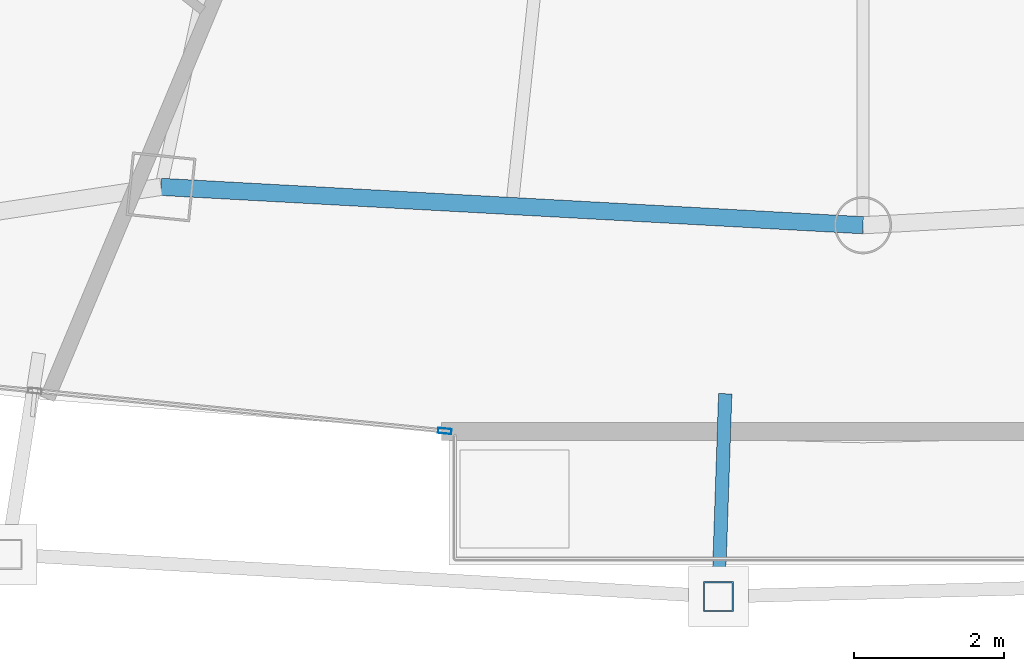
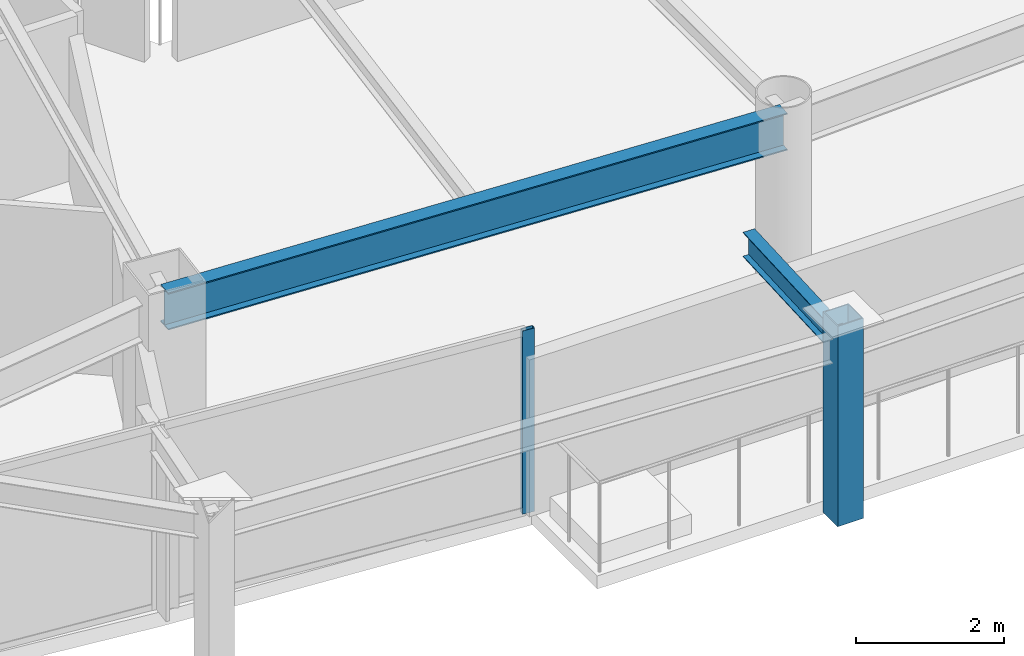
# One storey, part 7 of 31: 2 beams, 2 members, 1 element without a shape of its own.
"""IFC4 building model written with IfcOpenShell, lengths in metres."""

from ifc_helpers import new_model, si_unit, direction, frame, origin, origin_2d, place, context, subcontext, project, spatial, hollow_rectangle, i_section, extrude, material, layer, layer_set, material_profile, profile_set, type_object, element, aggregate, save


model = new_model("IFC4")

# Units and contexts
model_context = context("Model", 3, precision=1e-05, world=origin(), true_north=direction((0.0, 1.0)))
body_context = subcontext(model_context, "Body", "Model", "MODEL_VIEW")
ifc_project = project(units=[si_unit("LENGTHUNIT", "METRE"), si_unit("AREAUNIT", "SQUARE_METRE"), si_unit("VOLUMEUNIT", "CUBIC_METRE"), si_unit("PLANEANGLEUNIT", "RADIAN"), si_unit("MASSUNIT", "GRAM", prefix="KILO")], contexts=[model_context])

# Site, building, storey
site_placement = place(None, origin())
site = spatial("IfcSite", under=ifc_project, at=site_placement, CompositionType="ELEMENT")
building_placement = place(site_placement, origin())
building = spatial("IfcBuilding", under=site, at=building_placement, Name="Orvanel Arch Residences", CompositionType="ELEMENT")
storey_placement = place(building_placement, frame((0.0, 0.0, 183.64990234375)))
storey = spatial("IfcBuildingStorey", under=building, at=storey_placement, Name="L52", CompositionType="ELEMENT", Elevation=183.64990234375)

# Curtain wall, member
ifc_material_1 = material(Name="Bronze-anodised aluminium AA6063-T6", Category="aluminium")
ifc_layer = layer(ifc_material_1, 0.179931640625)
ifc_layer_set = layer_set([ifc_layer], Name="Bronze-anodised aluminium AA6063-T6")
curtain_wall_type = type_object("IfcCurtainWallType", Name="CW3-MID-SYS", PredefinedType="NOTDEFINED", material=ifc_layer_set)
curtain_wall_placement = place(storey_placement, origin())
curtain_wall = element("IfcCurtainWall", 1, at=curtain_wall_placement, inside=storey, type_object=curtain_wall_type, Name="L52 CW3-MID-SYS Unitised Curtain Wall", PredefinedType="NOTDEFINED")
ifc_material_profile_1 = material_profile(ifc_material_1, hollow_rectangle(XDim=0.070068359375, YDim=0.179931640625, WallThickness=0.00439453125, at=origin_2d()), Name="ALU180x70x4.5")
ifc_profile_set_1 = profile_set([ifc_material_profile_1], Name="Bronze-anodised aluminium AA6063-T6")
member_type_1 = type_object("IfcMemberType", Name="MUL-180x70", PredefinedType="MULLION", material=ifc_profile_set_1)
member_1_placement = place(storey_placement, frame((27.42919921875, 4.1025390625, 0.0), z_axis=(0.0, 0.0, 1.0), x_axis=(0.097701556124, 0.995215758482, 0.0)))
member_1 = element("IfcMember", 2, at=member_1_placement, type_object=member_type_1, Name="CW-S3 mullion 3", PredefinedType="MULLION", context=body_context, shape_type="SweptSolid", body=[
    extrude(hollow_rectangle(XDim=0.070068359375, YDim=0.179931640625, WallThickness=0.00439453125, at=origin_2d()), origin(), (0.0, 0.0, 1.0), 3.02001953125),
])
aggregate(curtain_wall, [member_1])

# Beams
ifc_material_2 = material(Name="Structural steel AS/NZS 3679.1 Grade 300 (300 MPa)", Category="steel")
ifc_material_profile_2 = material_profile(ifc_material_2, i_section(OverallWidth=0.177978515625, OverallDepth=0.406005859375, WebThickness=0.0078125, FlangeThickness=0.0126953125, at=origin_2d()), Name="410UB59.7")
ifc_profile_set_2 = profile_set([ifc_material_profile_2], Name="Structural steel AS/NZS 3679.1 Grade 300 (300 MPa)")
beam_type_1 = type_object("IfcBeamType", Name="OB-410UB-EXT", PredefinedType="SPANDREL", material=ifc_profile_set_2)
beam_1_placement = place(storey_placement, frame((31.1650390625, 4.59912109375, 2.817138671875), z_axis=(-0.033681637561, -0.999432612681, 0.0), x_axis=(0.999432612681, -0.033681637561, 0.0)))
element("IfcBeam", 3, at=beam_1_placement, inside=storey, type_object=beam_type_1, Name="L52 Outer Frame Radial Tie Beam 06", PredefinedType="SPANDREL", context=body_context, shape_type="SweptSolid", body=[
    extrude(i_section(OverallWidth=0.177978515625, OverallDepth=0.406005859375, WebThickness=0.0078125, FlangeThickness=0.0126953125, at=origin_2d()), origin(), (0.0, 0.0, 1.0), 2.70361328125),
])
ifc_material_profile_3 = material_profile(ifc_material_2, i_section(OverallWidth=0.22900390625, OverallDepth=0.612060546875, WebThickness=0.011962890625, FlangeThickness=0.01953125, at=origin_2d()), Name="610UB125")
ifc_profile_set_3 = profile_set([ifc_material_profile_3], Name="Structural steel AS/NZS 3679.1 Grade 300 (300 MPa)")
beam_type_2 = type_object("IfcBeamType", Name="SP-610UB", PredefinedType="SPANDREL", material=ifc_profile_set_3)
beam_2_placement = place(storey_placement, frame((23.64892578125, 7.35498046875, 2.714111328125), z_axis=(0.998510315598, -0.054563262768, 0.0), x_axis=(0.054563262768, 0.998510315598, 0.0)))
element("IfcBeam", 4, at=beam_2_placement, inside=storey, type_object=beam_type_2, Name="L52 Perimeter Spandrel Beam 05", PredefinedType="SPANDREL", context=body_context, shape_type="SweptSolid", body=[
    extrude(i_section(OverallWidth=0.22900390625, OverallDepth=0.612060546875, WebThickness=0.011962890625, FlangeThickness=0.01953125, at=origin_2d()), origin(), (0.0, 0.0, 1.0), 9.364990234375),
])

# Member
ifc_material_3 = material(Name="Structural steel AS/NZS 1163 C450L0 (Grade 450)", Category="steel")
ifc_material_profile_4 = material_profile(ifc_material_3, hollow_rectangle(XDim=0.39990234375, YDim=0.39990234375, WallThickness=0.01611328125, at=origin_2d()), Name="SHS400x400x16")
ifc_profile_set_4 = profile_set([ifc_material_profile_4], Name="Structural steel AS/NZS 1163 C450L0 (Grade 450)")
member_type_2 = type_object("IfcMemberType", Name="ST-400SHS-EXT", PredefinedType="STRUT", material=ifc_profile_set_4)
member_2_placement = place(storey_placement, frame((31.073974609375, 1.89697265625, 0.0), z_axis=(0.0, 0.0, 1.0), x_axis=(1.0, 0.0, 0.0)))
element("IfcMember", 5, at=member_2_placement, inside=storey, type_object=member_type_2, Name="L52 Outer Perimeter Frame Post 06", PredefinedType="STRUT", context=body_context, shape_type="SweptSolid", body=[
    extrude(hollow_rectangle(XDim=0.39990234375, YDim=0.39990234375, WallThickness=0.01611328125, at=origin_2d()), origin(), (0.0, 0.0, 1.0), 3.300048828125),
])

save(model, "model.ifc")
